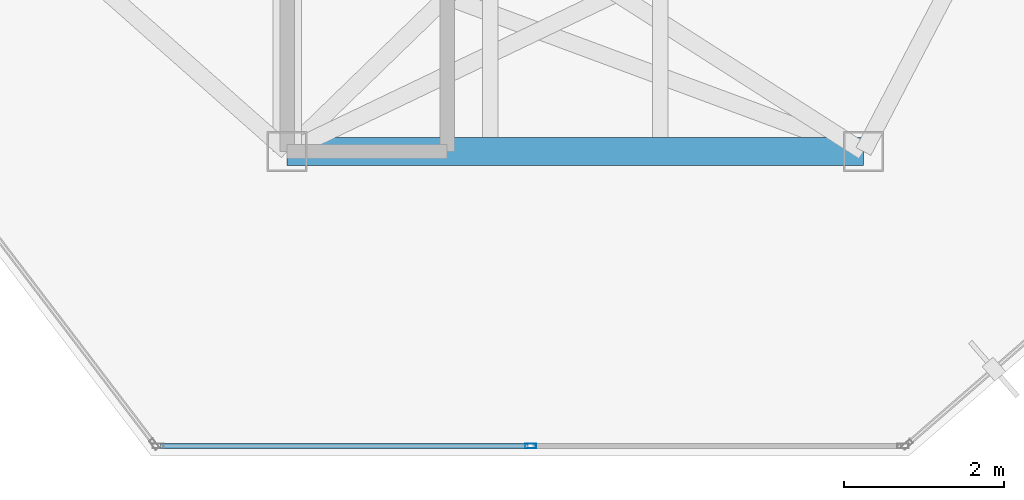
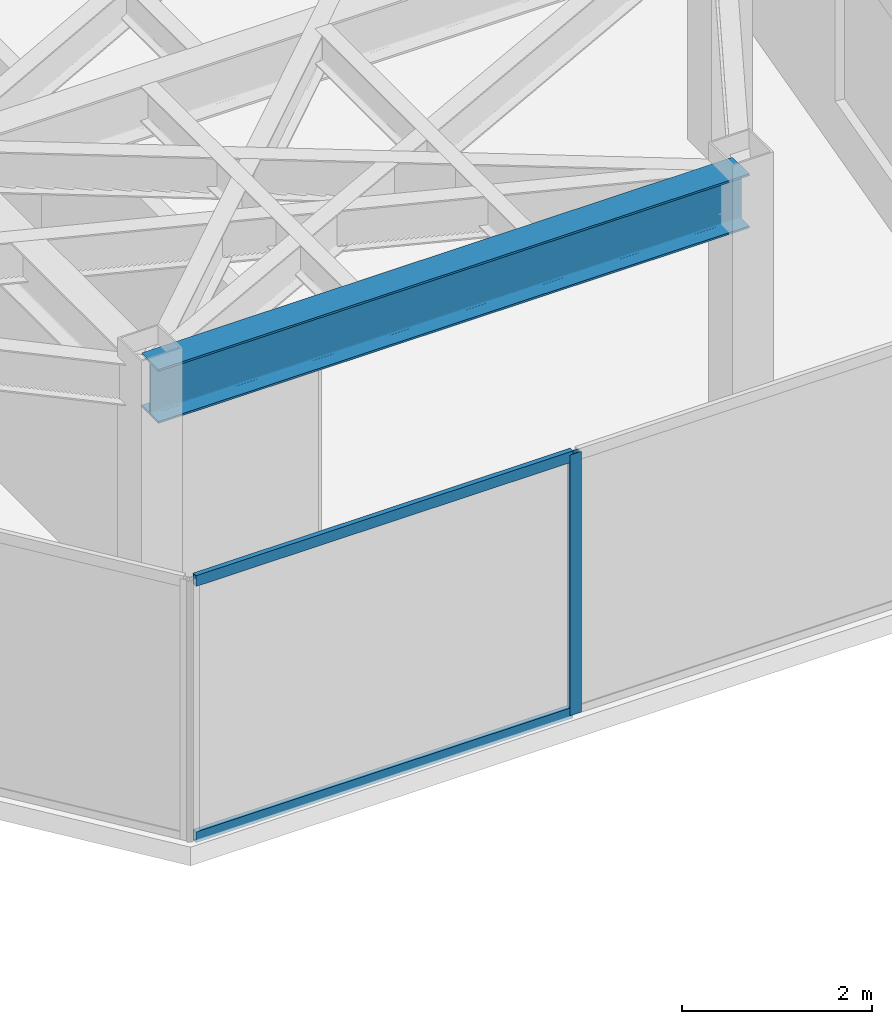
# One storey, part 7 of 19: 3 members, 1 beam, 1 element without a shape of its own.
"""IFC4 building model written with IfcOpenShell, lengths in metres."""

from ifc_helpers import new_model, si_unit, direction, frame, origin, origin_2d, place, context, subcontext, project, spatial, hollow_rectangle, i_section, extrude, material, layer, layer_set, material_profile, profile_set, type_object, element, aggregate, save


model = new_model("IFC4")

# Units and contexts
model_context = context("Model", 3, precision=1e-05, world=origin(), true_north=direction((0.0, 1.0)))
body_context = subcontext(model_context, "Body", "Model", "MODEL_VIEW")
ifc_project = project(units=[si_unit("LENGTHUNIT", "METRE"), si_unit("AREAUNIT", "SQUARE_METRE"), si_unit("VOLUMEUNIT", "CUBIC_METRE"), si_unit("PLANEANGLEUNIT", "RADIAN"), si_unit("MASSUNIT", "GRAM", prefix="KILO")], contexts=[model_context])

# Site, building, storey
site_placement = place(None, origin())
site = spatial("IfcSite", under=ifc_project, at=site_placement, CompositionType="ELEMENT")
building_placement = place(site_placement, origin())
building = spatial("IfcBuilding", under=site, at=building_placement, Name="Kravanh Interchange Tower", CompositionType="ELEMENT")
storey_placement = place(building_placement, frame((0.0, 0.0, 267.0)))
storey = spatial("IfcBuildingStorey", under=building, at=storey_placement, Name="L65", CompositionType="ELEMENT", Elevation=267.0)

# Curtain wall, members
ifc_material_1 = material(Name="Anodised Bronze Aluminium", Category="aluminium")
ifc_layer = layer(ifc_material_1, 0.179931640625)
ifc_layer_set = layer_set([ifc_layer], Name="Unitised Curtain Wall System CW-HTL Luxury Hotel")
curtain_wall_type = type_object("IfcCurtainWallType", Name="Unitised Curtain Wall System CW-HTL Luxury Hotel", PredefinedType="NOTDEFINED", material=ifc_layer_set)
curtain_wall_placement = place(storey_placement, origin())
curtain_wall = element("IfcCurtainWall", 1, at=curtain_wall_placement, inside=storey, type_object=curtain_wall_type, Name="L65 Unitised Curtain Wall CW-L65-03", PredefinedType="NOTDEFINED")
ifc_material_2 = material(Name="Anodised Bronze Aluminium", Category="aluminium")
ifc_material_profile_1 = material_profile(ifc_material_2, hollow_rectangle(XDim=0.06005859375, YDim=0.139892578125, WallThickness=0.00390625, at=origin_2d()), Name="ALU60X140X4")
ifc_profile_set_1 = profile_set([ifc_material_profile_1], Name="Anodised Bronze Aluminium")
member_type_1 = type_object("IfcMemberType", Name="Curtain Wall Mullion ALU60X140X4 Bronze", PredefinedType="MULLION", material=ifc_profile_set_1)
member_1_placement = place(storey_placement, frame((59.042236328125, 18.52001953125, 0.0), z_axis=(0.0, 0.0, 1.0), x_axis=(0.0, -1.0, 0.0)))
member_1 = element("IfcMember", 2, at=member_1_placement, type_object=member_type_1, Name="CW-HTL mullion 2", PredefinedType="MULLION", context=body_context, shape_type="SweptSolid", body=[
    extrude(hollow_rectangle(XDim=0.06005859375, YDim=0.139892578125, WallThickness=0.00390625, at=origin_2d()), origin(), (0.0, 0.0, 1.0), 3.360107421875),
])
ifc_material_3 = material(Name="Anodised Bronze Aluminium", Category="aluminium")
ifc_material_profile_2 = material_profile(ifc_material_3, hollow_rectangle(XDim=0.06005859375, YDim=0.139892578125, WallThickness=0.00390625, at=origin_2d()), Name="ALU60X140X4")
ifc_profile_set_2 = profile_set([ifc_material_profile_2], Name="Anodised Bronze Aluminium")
member_type_2 = type_object("IfcMemberType", Name="Curtain Wall Transom ALU60X140X4 Bronze", PredefinedType="USERDEFINED", material=ifc_profile_set_2)
member_2_placement = place(storey_placement, frame((59.01220703125, 18.52001953125, 0.030029296875), z_axis=(-1.0, 0.0, 0.0), x_axis=(0.0, -1.0, 0.0)))
member_2 = element("IfcMember", 3, at=member_2_placement, type_object=member_type_2, Name="CW-HTL transom 2.1", ObjectType="TRANSOM", PredefinedType="USERDEFINED", context=body_context, shape_type="SweptSolid", body=[
    extrude(hollow_rectangle(XDim=0.06005859375, YDim=0.139892578125, WallThickness=0.00390625, at=origin_2d()), origin(), (0.0, 0.0, 1.0), 4.5927734375),
])
member_3_placement = place(storey_placement, frame((59.01220703125, 18.52001953125, 3.330078125), z_axis=(-1.0, 0.0, 0.0), x_axis=(0.0, -1.0, 0.0)))
member_3 = element("IfcMember", 4, at=member_3_placement, type_object=member_type_2, Name="CW-HTL transom 2.2", ObjectType="TRANSOM", PredefinedType="USERDEFINED", context=body_context, shape_type="SweptSolid", body=[
    extrude(hollow_rectangle(XDim=0.06005859375, YDim=0.139892578125, WallThickness=0.00390625, at=origin_2d()), origin(), (0.0, 0.0, 1.0), 4.5927734375),
])
aggregate(curtain_wall, [member_1, member_2, member_3])

# Beam
ifc_material_4 = material(Name="Structural Steel S355", Category="steel")
ifc_material_profile_3 = material_profile(ifc_material_4, i_section(OverallWidth=0.35498046875, OverallDepth=0.696044921875, WebThickness=0.015380859375, FlangeThickness=0.02490234375, FilletRadius=0.02392578125, at=origin_2d()), Name="W27X146")
ifc_profile_set_3 = profile_set([ifc_material_profile_3], Name="Structural Steel S355")
beam_type = type_object("IfcBeamType", Name="Floor Beam W27X146 Structural Steel S355", PredefinedType="BEAM", material=ifc_profile_set_3)
beam_placement = place(storey_placement, frame((56.0, 22.199951171875, 3.011962890625), z_axis=(1.0, 0.0, 0.0), x_axis=(0.0, 1.0, 0.0)))
element("IfcBeam", 5, at=beam_placement, inside=storey, type_object=beam_type, Name="L65 Primary Floor Girder 33", PredefinedType="BEAM", context=body_context, shape_type="SweptSolid", body=[
    extrude(i_section(OverallWidth=0.35498046875, OverallDepth=0.696044921875, WebThickness=0.015380859375, FlangeThickness=0.02490234375, FilletRadius=0.02392578125, at=origin_2d()), origin(), (0.0, 0.0, 1.0), 7.199951171875),
])

save(model, "model.ifc")
